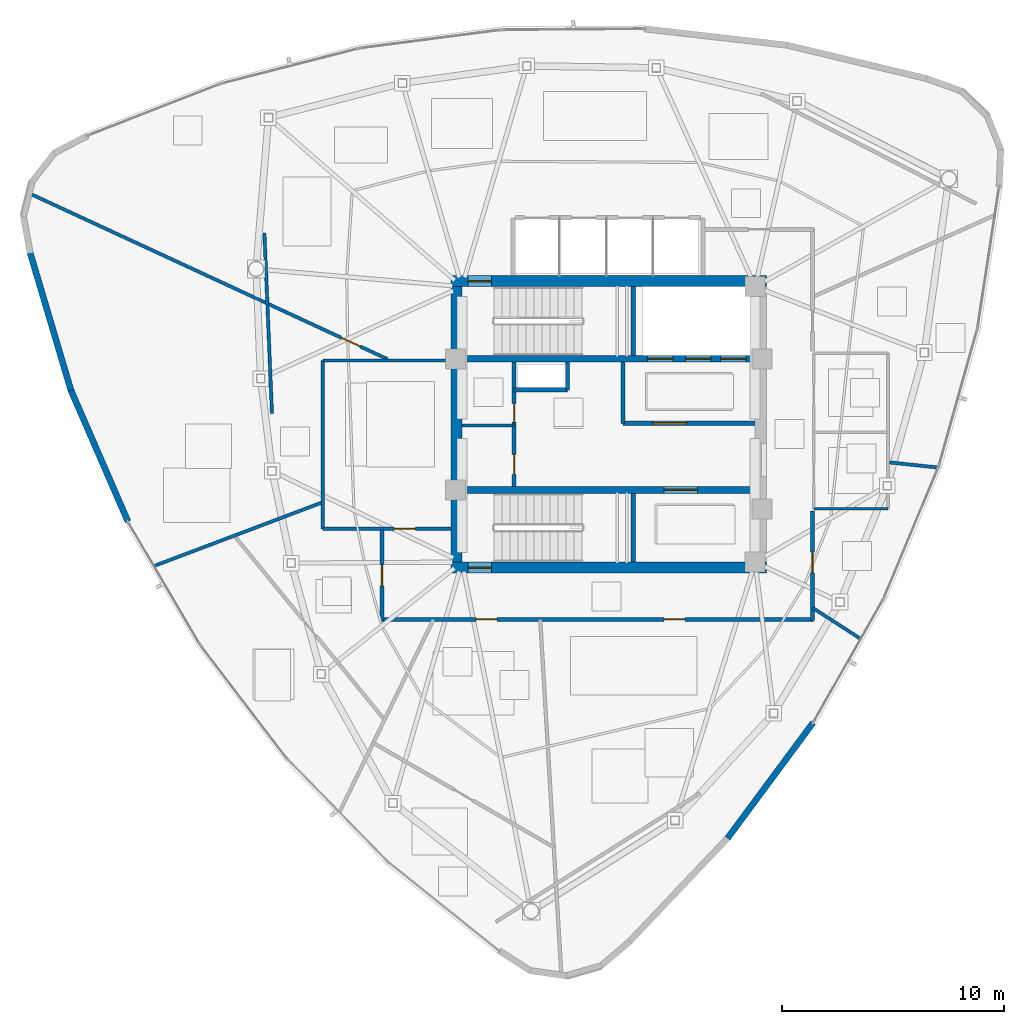
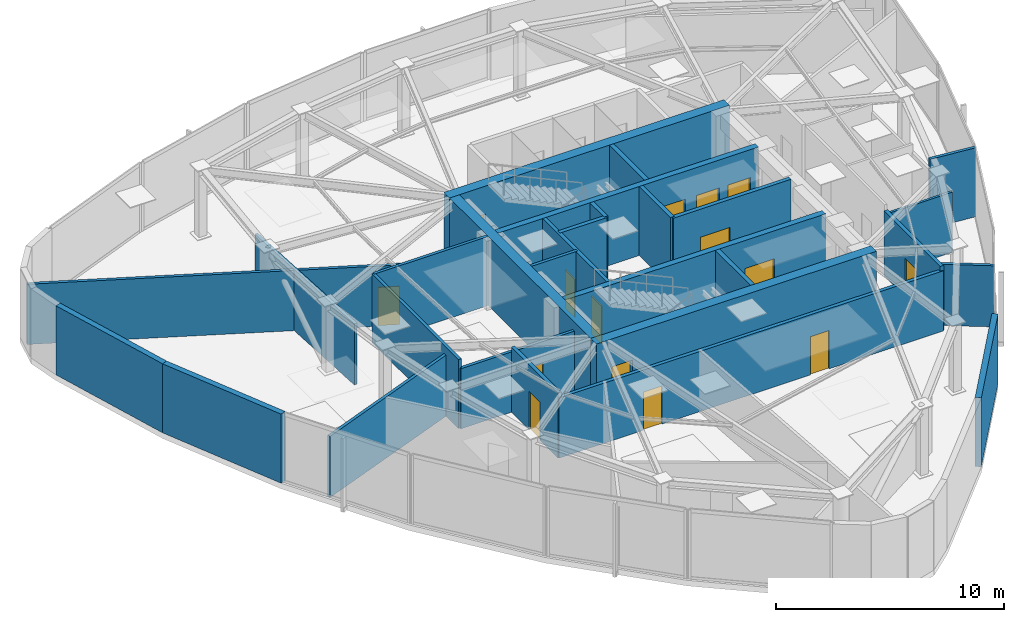
# One storey, part 8 of 11: 28 walls, 15 doors, 15 openings.
"""IFC4 building model written with IfcOpenShell, lengths in metres."""

import ifcopenshell
import ifcopenshell.guid

model = None  # the IFC model being written
_history = None  # IfcOwnerHistory: only IFC2X3 demands one
_inside = {}  # id of a spatial element -> (the spatial element, [elements in it])
_under = {}  # id of a project, library or spatial element -> (it, [spatial elements below it])
_declared = {}  # id of a project -> (the project, [libraries it declares])
_typed = {}  # id of a type object -> (the type object, [elements of that type])
_made_of = {}  # id of a material, layer set ... -> (it, [elements and type objects made of it])


def new_model(schema):
    """Start an empty IFC model of exactly this schema.

    Asked for "IFC4X3", IfcOpenShell would pick the latest addendum, in which some entities
    have other attributes; the version numbers below select the first issue.
    IFC2X3 requires an IfcOwnerHistory on every rooted entity: one is made here for all.
    """
    global model, _history
    if schema == "IFC4X3":
        model = ifcopenshell.file(schema_version=(4, 3, 0, 0))
    else:
        model = ifcopenshell.file(schema=schema)
    _inside.clear()
    _under.clear()
    _declared.clear()
    _typed.clear()
    _made_of.clear()
    _history = None
    if model.schema == "IFC2X3":
        org = make("IfcOrganization", Name="unknown")
        user = make(
            "IfcPersonAndOrganization",
            ThePerson=make("IfcPerson", FamilyName="unknown"),
            TheOrganization=org,
        )
        app = make(
            "IfcApplication",
            ApplicationDeveloper=org,
            Version="unknown",
            ApplicationFullName="unknown",
            ApplicationIdentifier="unknown",
        )
        _history = make(
            "IfcOwnerHistory",
            OwningUser=user,
            OwningApplication=app,
            ChangeAction="ADDED",
            CreationDate=0,
        )
    return model


def make(cls, **values):
    """One entity of the class cls with the attributes given. An attribute that is None is left unset."""
    return model.create_entity(
        cls, **{name: value for name, value in values.items() if value is not None}
    )


def rooted(cls, **values):
    """An entity with a GlobalId (a new one), such as an element, a storey or a relation."""
    return make(cls, GlobalId=ifcopenshell.guid.new(), OwnerHistory=_history, **values)


def si_unit(unit_type, name, prefix=None):
    """IfcSIUnit, for example si_unit("LENGTHUNIT", "METRE", prefix="MILLI")."""
    return make("IfcSIUnit", UnitType=unit_type, Prefix=prefix, Name=name)


def assignment(units):
    """IfcUnitAssignment: the units of a project."""
    return None if units is None else make("IfcUnitAssignment", Units=units)


def point(xyz):
    """IfcCartesianPoint."""
    return None if xyz is None else make("IfcCartesianPoint", Coordinates=xyz)


def direction(xyz):
    """IfcDirection."""
    return None if xyz is None else make("IfcDirection", DirectionRatios=xyz)


def frame(location, z_axis=None, x_axis=None):
    """IfcAxis2Placement3D, a coordinate frame: its origin and axes. An axis left out is left unset."""
    return make(
        "IfcAxis2Placement3D",
        Location=point(location),
        Axis=direction(z_axis),
        RefDirection=direction(x_axis),
    )


def frame_2d(location, x_axis=None):
    """IfcAxis2Placement2D, a coordinate frame in the plane: its origin and x axis."""
    return make(
        "IfcAxis2Placement2D", Location=point(location), RefDirection=direction(x_axis)
    )


def origin():
    """The frame at (0, 0, 0) with its axes left unset."""
    return frame((0.0, 0.0, 0.0))


def place(relative_to, where):
    """IfcLocalPlacement: puts the frame where relative to a parent placement (None: the world)."""
    return make(
        "IfcLocalPlacement", PlacementRelTo=relative_to, RelativePlacement=where
    )


def context(
    kind, dimensions, precision=None, world=None, true_north=None, identifier=None
):
    """IfcGeometricRepresentationContext, for example the 3D "Model" context."""
    return make(
        "IfcGeometricRepresentationContext",
        ContextIdentifier=identifier,
        ContextType=kind,
        CoordinateSpaceDimension=dimensions,
        Precision=precision,
        WorldCoordinateSystem=world,
        TrueNorth=true_north,
    )


def subcontext(parent, identifier, kind, view, scale=None):
    """IfcGeometricRepresentationSubContext, for example "Body" below "Model"."""
    return make(
        "IfcGeometricRepresentationSubContext",
        ContextIdentifier=identifier,
        ContextType=kind,
        ParentContext=parent,
        TargetScale=scale,
        TargetView=view,
    )


def project(units=None, contexts=None):
    """IfcProject with its units and contexts."""
    return rooted(
        "IfcProject",
        Name="project",
        RepresentationContexts=contexts,
        UnitsInContext=assignment(units),
    )


def spatial(cls, under=None, at=None, **own):
    """A site, building, storey or space (cls), placed at a placement, below another one or the project."""
    s = rooted(cls, ObjectPlacement=at, **own)
    if under is not None:
        _under.setdefault(under.id(), (under, []))[1].append(s)
    return s


def profile(cls, at=None, kind="AREA", **sizes):
    """A parametric profile (cls). Its sizes go by their IFC names, for example OverallWidth=200.0."""
    return make(cls, ProfileType=kind, Position=at, **sizes)


def rectangle(**sizes):
    """IfcRectangleProfileDef."""
    return profile("IfcRectangleProfileDef", **sizes)


def extrude(swept, where, along, depth):
    """IfcExtrudedAreaSolid: the profile swept, set in the frame where, extruded along a direction by depth."""
    return make(
        "IfcExtrudedAreaSolid",
        SweptArea=swept,
        Position=where,
        ExtrudedDirection=direction(along),
        Depth=depth,
    )


def shape(context_of_items, identifier, shape_type, items):
    """IfcShapeRepresentation: the items that make up one representation, for example the "Body"."""
    return make(
        "IfcShapeRepresentation",
        ContextOfItems=context_of_items,
        RepresentationIdentifier=identifier,
        RepresentationType=shape_type,
        Items=items,
    )


def material(Name=None, Category=None):
    """IfcMaterial."""
    return make("IfcMaterial", Name=Name, Category=Category)


def layer(
    of_material, thickness, ventilated=None, Name=None, Category=None, Priority=None
):
    """IfcMaterialLayer: one layer of a wall or slab, of a material (None: an air gap)."""
    return make(
        "IfcMaterialLayer",
        Material=of_material,
        LayerThickness=thickness,
        IsVentilated=ventilated,
        Name=Name,
        Category=Category,
        Priority=Priority,
    )


def layer_set(layers, Name=None):
    """IfcMaterialLayerSet."""
    return make("IfcMaterialLayerSet", MaterialLayers=layers, LayerSetName=Name)


def made_of(thing, what):
    """Note that an element or type object is made of a material, layer set ...; save() writes the relation."""
    if what is not None:
        _made_of.setdefault(what.id(), (what, []))[1].append(thing)
    return thing


def type_object(cls, material=None, **own):
    """A type object (cls), such as IfcWallType, which elements share."""
    return made_of(rooted(cls, **own), material)


def element(
    cls,
    number,
    at=None,
    inside=None,
    cuts=None,
    type_object=None,
    material=None,
    context=None,
    identifier="Body",
    shape_type=None,
    held_by="IfcProductDefinitionShape",
    body=None,
    shapes=None,
    **own,
):
    """One element of the class cls, such as IfcWall. Its Tag is "e" and its number.

    at: its placement. inside: the storey or other place that contains it. cuts: it is an
    opening in that element (IfcRelVoidsElement). A single representation is given by context,
    identifier, shape_type and body (its items); several are given by shapes. held_by: the class
    of the entity that holds the representations. save() writes the other relations.
    """
    e = rooted(cls, Tag="e%d" % number, ObjectPlacement=at, **own)
    if body is not None:
        shapes = [shape(context, identifier, shape_type, body)]
    if shapes is not None:
        e.Representation = make(held_by, Representations=shapes)
    if inside is not None:
        _inside.setdefault(inside.id(), (inside, []))[1].append(e)
    if cuts is not None:
        rooted(
            "IfcRelVoidsElement", RelatingBuildingElement=cuts, RelatedOpeningElement=e
        )
    if type_object is not None:
        _typed.setdefault(type_object.id(), (type_object, []))[1].append(e)
    return made_of(e, material)


def fill(opening, filler):
    """IfcRelFillsElement: the door or window that sits in an opening."""
    return rooted(
        "IfcRelFillsElement",
        RelatingOpeningElement=opening,
        RelatedBuildingElement=filler,
    )


def aggregate(whole, parts):
    """IfcRelAggregates: a whole, such as a stair, and the parts it consists of."""
    return rooted("IfcRelAggregates", RelatingObject=whole, RelatedObjects=parts)


def save(model, path):
    """Write the relations noted so far, then the file.

    IfcRelAggregates (storeys below a building ...), IfcRelContainedInSpatialStructure (elements
    in a storey), IfcRelDefinesByType, IfcRelAssociatesMaterial and IfcRelDeclares: one each for
    every whole, place, type object, material and project.
    """
    for whole, parts in _under.values():
        aggregate(whole, parts)
    for where, things in _inside.values():
        rooted(
            "IfcRelContainedInSpatialStructure",
            RelatedElements=things,
            RelatingStructure=where,
        )
    for kind, things in _typed.values():
        rooted("IfcRelDefinesByType", RelatedObjects=things, RelatingType=kind)
    for what, things in _made_of.values():
        rooted("IfcRelAssociatesMaterial", RelatedObjects=things, RelatingMaterial=what)
    for by, libraries in _declared.values():
        rooted("IfcRelDeclares", RelatingContext=by, RelatedDefinitions=libraries)
    model.write(path)


model = new_model("IFC4")

# Units and contexts
model_context = context("Model", 3, precision=1e-05, world=origin(), true_north=direction((0.0, 1.0)))
body_context = subcontext(model_context, "Body", "Model", "MODEL_VIEW")
ifc_project = project(units=[si_unit("LENGTHUNIT", "METRE"), si_unit("AREAUNIT", "SQUARE_METRE"), si_unit("VOLUMEUNIT", "CUBIC_METRE"), si_unit("PLANEANGLEUNIT", "RADIAN"), si_unit("MASSUNIT", "GRAM", prefix="KILO")], contexts=[model_context])

# Site, building, storey
site_placement = place(None, origin())
site = spatial("IfcSite", under=ifc_project, at=site_placement, CompositionType="ELEMENT")
building_placement = place(site_placement, origin())
building = spatial("IfcBuilding", under=site, at=building_placement, Name="Tavelor Broadcast Tower", CompositionType="ELEMENT")
storey_placement = place(building_placement, frame((0.0, 0.0, 313.5)))
storey = spatial("IfcBuildingStorey", under=building, at=storey_placement, Name="L75", CompositionType="ELEMENT", Elevation=313.5)

# Wall, opening, door
ifc_material_1 = material(Name="Concrete C50/60", Category="concrete")
ifc_layer_1 = layer(ifc_material_1, 0.5)
ifc_layer_set_1 = layer_set([ifc_layer_1], Name="Concrete C50/60")
wall_type_1 = type_object("IfcWallType", Name="Core Shear Wall 500 mm", PredefinedType="SHEAR", material=ifc_layer_set_1)
wall_1_placement = place(storey_placement, frame((42.89990234375, 51.449951171875, 0.0), z_axis=(0.0, 0.0, 1.0), x_axis=(1.0, 0.0, 0.0)))
wall_1 = element("IfcWall", 1, at=wall_1_placement, inside=storey, type_object=wall_type_1, Name="L75 Central Core Shear Wall N", PredefinedType="SHEAR", context=body_context, shape_type="SweptSolid", body=[
    extrude(rectangle(XDim=14.2001953125, YDim=0.5, at=frame_2d((7.10009765625, 0.0))), origin(), (0.0, 0.0, 1.0), 3.699951171875),
])
opening_1_placement = place(wall_1_placement, frame((0.780029296875, 0.0, 0.0)))
opening_1 = element("IfcOpeningElement", 2, at=opening_1_placement, cuts=wall_1, Name="Opening DR11", PredefinedType="OPENING", context=body_context, shape_type="SweptSolid", body=[
    extrude(rectangle(XDim=1.050048828125, YDim=2.199951171875, at=frame_2d((0.52490234375, 1.10009765625))), frame((0.0, 0.260009765625, 0.0), z_axis=(0.0, -1.0, 0.0), x_axis=(1.0, 0.0, 0.0)), (0.0, 0.0, 1.0), 0.52001953125),
])
ifc_material_2 = material(Name="Steel S355", Category="steel")
door_type_1 = type_object("IfcDoorType", Name="Stair Core Fire Escape Door 1050x2200", OperationType="NOTDEFINED", PredefinedType="DOOR", material=ifc_material_2)
door_1_placement = place(opening_1_placement, origin())
door_1 = element("IfcDoor", 3, at=door_1_placement, inside=storey, type_object=door_type_1, Name="L75 Stair ST1 Protected Exit Door", OperationType="SINGLE_SWING_LEFT", OverallHeight=2.199951171875, OverallWidth=1.050048828125, PredefinedType="DOOR", context=body_context, shape_type="SweptSolid", body=[
    extrude(rectangle(XDim=1.050048828125, YDim=2.199951171875, at=frame_2d((0.52490234375, 1.10009765625))), frame((0.0, 0.02490234375, 0.0), z_axis=(0.0, -1.0, 0.0), x_axis=(1.0, 0.0, 0.0)), (0.0, 0.0, 1.0), 0.050048828125),
])
fill(opening_1, door_1)

wall_2_placement = place(storey_placement, frame((42.89990234375, 38.550048828125, 0.0), z_axis=(0.0, 0.0, 1.0), x_axis=(1.0, 0.0, 0.0)))
wall_2 = element("IfcWall", 4, at=wall_2_placement, inside=storey, type_object=wall_type_1, Name="L75 Central Core Shear Wall S", PredefinedType="SHEAR", context=body_context, shape_type="SweptSolid", body=[
    extrude(rectangle(XDim=14.2001953125, YDim=0.5, at=frame_2d((7.10009765625, 0.0))), origin(), (0.0, 0.0, 1.0), 3.699951171875),
])
opening_2_placement = place(wall_2_placement, frame((0.780029296875, 0.0, 0.0)))
opening_2 = element("IfcOpeningElement", 5, at=opening_2_placement, cuts=wall_2, Name="Opening DR11", PredefinedType="OPENING", context=body_context, shape_type="SweptSolid", body=[
    extrude(rectangle(XDim=1.050048828125, YDim=2.199951171875, at=frame_2d((0.52490234375, 1.10009765625))), frame((0.0, 0.260009765625, 0.0), z_axis=(0.0, -1.0, 0.0), x_axis=(1.0, 0.0, 0.0)), (0.0, 0.0, 1.0), 0.52001953125),
])
door_2_placement = place(opening_2_placement, origin())
door_2 = element("IfcDoor", 6, at=door_2_placement, inside=storey, type_object=door_type_1, Name="L75 Stair ST2 Protected Exit Door", OperationType="SINGLE_SWING_RIGHT", OverallHeight=2.199951171875, OverallWidth=1.050048828125, PredefinedType="DOOR", context=body_context, shape_type="SweptSolid", body=[
    extrude(rectangle(XDim=1.050048828125, YDim=2.199951171875, at=frame_2d((0.52490234375, 1.10009765625))), frame((0.0, 0.02490234375, 0.0), z_axis=(0.0, -1.0, 0.0), x_axis=(1.0, 0.0, 0.0)), (0.0, 0.0, 1.0), 0.050048828125),
])
fill(opening_2, door_2)

# Wall
wall_3_placement = place(storey_placement, frame((43.14990234375, 38.800048828125, 0.0), z_axis=(0.0, 0.0, 1.0), x_axis=(0.0, 1.0, 0.0)))
element("IfcWall", 7, at=wall_3_placement, inside=storey, type_object=wall_type_1, Name="L75 Central Core Shear Wall W", PredefinedType="SHEAR", context=body_context, shape_type="SweptSolid", body=[
    extrude(rectangle(XDim=12.39990234375, YDim=0.5, at=frame_2d((6.199951171875, 0.0))), origin(), (0.0, 0.0, 1.0), 3.699951171875),
])

# Wall, openings, doors
ifc_layer_2 = layer(ifc_material_1, 0.300048828125)
ifc_layer_set_2 = layer_set([ifc_layer_2], Name="Concrete C50/60")
wall_type_2 = type_object("IfcWallType", Name="Core Spine Shear Wall 300 mm C50", PredefinedType="SHEAR", material=ifc_layer_set_2)
wall_4_placement = place(storey_placement, frame((43.39990234375, 47.949951171875, 0.0), z_axis=(0.0, 0.0, 1.0), x_axis=(1.0, 0.0, 0.0)))
wall_4 = element("IfcWall", 8, at=wall_4_placement, inside=storey, type_object=wall_type_2, Name="L75 Central Core Shear Wall SP1", PredefinedType="SHEAR", context=body_context, shape_type="SweptSolid", body=[
    extrude(rectangle(XDim=13.2001953125, YDim=0.300048828125, at=frame_2d((6.60009765625, 0.0))), origin(), (0.0, 0.0, 1.0), 3.699951171875),
])
opening_3_placement = place(wall_4_placement, frame((8.344970703125, 0.0, 0.0)))
opening_3 = element("IfcOpeningElement", 9, at=opening_3_placement, cuts=wall_4, Name="Opening LD02", PredefinedType="OPENING", context=body_context, shape_type="SweptSolid", body=[
    extrude(rectangle(XDim=1.14990234375, YDim=2.199951171875, at=frame_2d((0.574951171875, 1.10009765625))), frame((0.0, 0.16015625, 0.0), z_axis=(0.0, -1.0, 0.0), x_axis=(1.0, 0.0, 0.0)), (0.0, 0.0, 1.0), 0.320068359375),
])
opening_4_placement = place(wall_4_placement, frame((10.06494140625, 0.0, 0.0)))
opening_4 = element("IfcOpeningElement", 10, at=opening_4_placement, cuts=wall_4, Name="Opening LD02", PredefinedType="OPENING", context=body_context, shape_type="SweptSolid", body=[
    extrude(rectangle(XDim=1.14990234375, YDim=2.199951171875, at=frame_2d((0.574951171875, 1.10009765625))), frame((0.0, 0.16015625, 0.0), z_axis=(0.0, -1.0, 0.0), x_axis=(1.0, 0.0, 0.0)), (0.0, 0.0, 1.0), 0.320068359375),
])
opening_5_placement = place(wall_4_placement, frame((11.64501953125, 0.0, 0.0)))
opening_5 = element("IfcOpeningElement", 11, at=opening_5_placement, cuts=wall_4, Name="Opening LD03", PredefinedType="OPENING", context=body_context, shape_type="SweptSolid", body=[
    extrude(rectangle(XDim=1.14990234375, YDim=2.199951171875, at=frame_2d((0.574951171875, 1.10009765625))), frame((0.0, 0.16015625, 0.0), z_axis=(0.0, -1.0, 0.0), x_axis=(1.0, 0.0, 0.0)), (0.0, 0.0, 1.0), 0.320068359375),
])
ifc_material_3 = material(Name="Reinforced Brushed Stainless Steel", Category="concrete")
door_type_2 = type_object("IfcDoorType", Name="Broadcast Goods Lift Sliding Landing Door 1250x2200", OperationType="NOTDEFINED", PredefinedType="DOOR", material=ifc_material_3)
door_3_placement = place(opening_5_placement, origin())
door_3 = element("IfcDoor", 12, at=door_3_placement, inside=storey, type_object=door_type_2, Name="L75 Lift SVL1 Sliding Landing Door", OperationType="SLIDING_TO_LEFT", OverallHeight=2.199951171875, OverallWidth=1.14990234375, PredefinedType="DOOR", context=body_context, shape_type="SweptSolid", body=[
    extrude(rectangle(XDim=1.14990234375, YDim=2.199951171875, at=frame_2d((0.574951171875, 1.10009765625))), frame((0.0, 0.02490234375, 0.0), z_axis=(0.0, -1.0, 0.0), x_axis=(1.0, 0.0, 0.0)), (0.0, 0.0, 1.0), 0.050048828125),
])
fill(opening_5, door_3)
ifc_material_4 = material(Name="Fire-Rated Stainless Steel", Category="steel")
door_type_3 = type_object("IfcDoorType", Name="Firefighting Lift Sliding Landing Door 1200x2200", OperationType="NOTDEFINED", PredefinedType="DOOR", material=ifc_material_4)
door_4_placement = place(opening_3_placement, origin())
door_4 = element("IfcDoor", 13, at=door_4_placement, inside=storey, type_object=door_type_3, Name="L75 Lift FFL1 Sliding Landing Door", OperationType="SLIDING_TO_LEFT", OverallHeight=2.199951171875, OverallWidth=1.14990234375, PredefinedType="DOOR", context=body_context, shape_type="SweptSolid", body=[
    extrude(rectangle(XDim=1.14990234375, YDim=2.199951171875, at=frame_2d((0.574951171875, 1.10009765625))), frame((0.0, 0.02490234375, 0.0), z_axis=(0.0, -1.0, 0.0), x_axis=(1.0, 0.0, 0.0)), (0.0, 0.0, 1.0), 0.050048828125),
])
fill(opening_3, door_4)
door_5_placement = place(opening_4_placement, origin())
door_5 = element("IfcDoor", 14, at=door_5_placement, inside=storey, type_object=door_type_3, Name="L75 Lift FFL2 Sliding Landing Door", OperationType="SLIDING_TO_LEFT", OverallHeight=2.199951171875, OverallWidth=1.14990234375, PredefinedType="DOOR", context=body_context, shape_type="SweptSolid", body=[
    extrude(rectangle(XDim=1.14990234375, YDim=2.199951171875, at=frame_2d((0.574951171875, 1.10009765625))), frame((0.0, 0.02490234375, 0.0), z_axis=(0.0, -1.0, 0.0), x_axis=(1.0, 0.0, 0.0)), (0.0, 0.0, 1.0), 0.050048828125),
])
fill(opening_4, door_5)

# Wall, opening, door
wall_5_placement = place(storey_placement, frame((43.39990234375, 42.050048828125, 0.0), z_axis=(0.0, 0.0, 1.0), x_axis=(1.0, 0.0, 0.0)))
wall_5 = element("IfcWall", 15, at=wall_5_placement, inside=storey, type_object=wall_type_2, Name="L75 Central Core Shear Wall SP2", PredefinedType="SHEAR", context=body_context, shape_type="SweptSolid", body=[
    extrude(rectangle(XDim=13.2001953125, YDim=0.300048828125, at=frame_2d((6.60009765625, 0.0))), origin(), (0.0, 0.0, 1.0), 3.699951171875),
])
opening_6_placement = place(wall_5_placement, frame((9.10009765625, 0.0, 0.0)))
opening_6 = element("IfcOpeningElement", 16, at=opening_6_placement, cuts=wall_5, Name="Opening DR14", PredefinedType="OPENING", context=body_context, shape_type="SweptSolid", body=[
    extrude(rectangle(XDim=1.5, YDim=2.199951171875, at=frame_2d((0.75, 1.10009765625))), frame((0.0, 0.16015625, 0.0), z_axis=(0.0, -1.0, 0.0), x_axis=(1.0, 0.0, 0.0)), (0.0, 0.0, 1.0), 0.320068359375),
])
door_type_4 = type_object("IfcDoorType", Name="Firefighting Lobby Double Fire Door 1500x2200", OperationType="NOTDEFINED", PredefinedType="DOOR", material=ifc_material_2)
door_6_placement = place(opening_6_placement, origin())
door_6 = element("IfcDoor", 17, at=door_6_placement, inside=storey, type_object=door_type_4, Name="L75 Reclaimed South Core Vestibule Door", OperationType="SINGLE_SWING_RIGHT", OverallHeight=2.199951171875, OverallWidth=1.5, PredefinedType="DOOR", context=body_context, shape_type="SweptSolid", body=[
    extrude(rectangle(XDim=1.5, YDim=2.199951171875, at=frame_2d((0.75, 1.10009765625))), frame((0.0, 0.02490234375, 0.0), z_axis=(0.0, -1.0, 0.0), x_axis=(1.0, 0.0, 0.0)), (0.0, 0.0, 1.0), 0.050048828125),
])
fill(opening_6, door_6)

# Wall, openings, doors
ifc_material_5 = material(Name="Calcium Silicate Fire Board 180 mm", Category="gypsum")
ifc_layer_3 = layer(ifc_material_5, 0.179931640625)
ifc_layer_set_3 = layer_set([ifc_layer_3], Name="Calcium Silicate Fire Board 180 mm")
wall_type_3 = type_object("IfcWallType", Name="Fire-Rated Corridor Partition Wall 180 mm", PredefinedType="PARTITIONING", material=ifc_layer_set_3)
wall_6_placement = place(storey_placement, frame((45.75, 42.199951171875, 0.0), z_axis=(0.0, 0.0, 1.0), x_axis=(0.0, 1.0, 0.0)))
wall_6 = element("IfcWall", 18, at=wall_6_placement, inside=storey, type_object=wall_type_3, Name="L75 Core West Service East Wall", PredefinedType="PARTITIONING", context=body_context, shape_type="SweptSolid", body=[
    extrude(rectangle(XDim=5.60009765625, YDim=0.179931640625, at=frame_2d((2.800048828125, 0.0))), origin(), (0.0, 0.0, 1.0), 3.699951171875),
])
opening_7_placement = place(wall_6_placement, frame((0.550048828125, 0.0, 0.0)))
opening_7 = element("IfcOpeningElement", 19, at=opening_7_placement, cuts=wall_6, Name="Opening DR32", PredefinedType="OPENING", context=body_context, shape_type="SweptSolid", body=[
    extrude(rectangle(XDim=0.89990234375, YDim=2.050048828125, at=frame_2d((0.449951171875, 1.02490234375))), frame((0.0, 0.10009765625, 0.0), z_axis=(0.0, -1.0, 0.0), x_axis=(1.0, 0.0, 0.0)), (0.0, 0.0, 1.0), 0.199951171875),
])
opening_8_placement = place(wall_6_placement, frame((2.89990234375, 0.0, 0.0)))
opening_8 = element("IfcOpeningElement", 20, at=opening_8_placement, cuts=wall_6, Name="Opening DR36", PredefinedType="OPENING", context=body_context, shape_type="SweptSolid", body=[
    extrude(rectangle(XDim=0.85009765625, YDim=2.050048828125, at=frame_2d((0.425048828125, 1.02490234375))), frame((0.0, 0.10009765625, 0.0), z_axis=(0.0, -1.0, 0.0), x_axis=(1.0, 0.0, 0.0)), (0.0, 0.0, 1.0), 0.199951171875),
])
ifc_material_6 = material(Name="Timber Solid Core Hardwood", Category="wood")
door_type_5 = type_object("IfcDoorType", Name="Accessible Washroom Door 900x2050", OperationType="NOTDEFINED", PredefinedType="DOOR", material=ifc_material_6)
door_7_placement = place(opening_7_placement, origin())
door_7 = element("IfcDoor", 21, at=door_7_placement, inside=storey, type_object=door_type_5, Name="L75 Core Accessible WC Door", OperationType="SINGLE_SWING_LEFT", OverallHeight=2.050048828125, OverallWidth=0.89990234375, PredefinedType="DOOR", context=body_context, shape_type="SweptSolid", body=[
    extrude(rectangle(XDim=0.89990234375, YDim=2.050048828125, at=frame_2d((0.449951171875, 1.02490234375))), frame((0.0, 0.02490234375, 0.0), z_axis=(0.0, -1.0, 0.0), x_axis=(1.0, 0.0, 0.0)), (0.0, 0.0, 1.0), 0.050048828125),
])
fill(opening_7, door_7)
door_type_6 = type_object("IfcDoorType", Name="Service Room Fire Door 850x2050", OperationType="NOTDEFINED", PredefinedType="DOOR", material=ifc_material_2)
door_8_placement = place(opening_8_placement, origin())
door_8 = element("IfcDoor", 22, at=door_8_placement, inside=storey, type_object=door_type_6, Name="L75 Core Cleaner Store Door", OperationType="SINGLE_SWING_RIGHT", OverallHeight=2.050048828125, OverallWidth=0.85009765625, PredefinedType="DOOR", context=body_context, shape_type="SweptSolid", body=[
    extrude(rectangle(XDim=0.85009765625, YDim=2.050048828125, at=frame_2d((0.425048828125, 1.02490234375))), frame((0.0, 0.02490234375, 0.0), z_axis=(0.0, -1.0, 0.0), x_axis=(1.0, 0.0, 0.0)), (0.0, 0.0, 1.0), 0.050048828125),
])
fill(opening_8, door_8)

# Wall, opening, door
wall_7_placement = place(storey_placement, frame((59.179931640625, 41.10009765625, 0.0), z_axis=(0.0, 0.0, 1.0), x_axis=(0.0, -1.0, 0.0)))
wall_7 = element("IfcWall", 23, at=wall_7_placement, inside=storey, type_object=wall_type_3, Name="L75 Corridor Compartment Wall 03", PredefinedType="PARTITIONING", context=body_context, shape_type="SweptSolid", body=[
    extrude(rectangle(XDim=4.93017578125, YDim=0.179931640625, at=frame_2d((2.465087890625, 0.0))), origin(), (0.0, 0.0, 1.0), 3.47509765625),
])
opening_9_placement = place(wall_7_placement, frame((1.8486328125, 0.0, 0.0)))
opening_9 = element("IfcOpeningElement", 24, at=opening_9_placement, cuts=wall_7, Name="Opening DR18", PredefinedType="OPENING", context=body_context, shape_type="SweptSolid", body=[
    extrude(rectangle(XDim=0.949951171875, YDim=2.050048828125, at=frame_2d((0.47509765625, 1.02490234375))), frame((0.0, 0.10009765625, 0.0), z_axis=(0.0, -1.0, 0.0), x_axis=(1.0, 0.0, 0.0)), (0.0, 0.0, 1.0), 0.199951171875),
])
door_type_7 = type_object("IfcDoorType", Name="Corridor Rated Compartment Door 950x2050", OperationType="NOTDEFINED", PredefinedType="DOOR", material=ifc_material_6)
door_9_placement = place(opening_9_placement, origin())
door_9 = element("IfcDoor", 25, at=door_9_placement, inside=storey, type_object=door_type_7, Name="L75 Technical Mail and Post Room Door R1", OperationType="SINGLE_SWING_LEFT", OverallHeight=2.050048828125, OverallWidth=0.949951171875, PredefinedType="DOOR", context=body_context, shape_type="SweptSolid", body=[
    extrude(rectangle(XDim=0.949951171875, YDim=2.050048828125, at=frame_2d((0.47509765625, 1.02490234375))), frame((0.0, 0.02490234375, 0.0), z_axis=(0.0, -1.0, 0.0), x_axis=(1.0, 0.0, 0.0)), (0.0, 0.0, 1.0), 0.050048828125),
])
fill(opening_9, door_9)

# Wall, openings, doors
wall_8_placement = place(storey_placement, frame((59.22998046875, 36.219970703125, 0.0), z_axis=(0.0, 0.0, 1.0), x_axis=(-1.0, 0.0, 0.0)))
wall_8 = element("IfcWall", 26, at=wall_8_placement, inside=storey, type_object=wall_type_3, Name="L75 Corridor Compartment Wall 04", PredefinedType="PARTITIONING", context=body_context, shape_type="SweptSolid", body=[
    extrude(rectangle(XDim=19.47998046875, YDim=0.179931640625, at=frame_2d((9.739990234375, 0.0))), origin(), (0.0, 0.0, 1.0), 3.22509765625),
])
opening_10_placement = place(wall_8_placement, frame((5.793212890625, 0.0, 0.0)))
opening_10 = element("IfcOpeningElement", 27, at=opening_10_placement, cuts=wall_8, Name="Opening DR18", PredefinedType="OPENING", context=body_context, shape_type="SweptSolid", body=[
    extrude(rectangle(XDim=0.949951171875, YDim=2.050048828125, at=frame_2d((0.47509765625, 1.02490234375))), frame((0.0, 0.10009765625, 0.0), z_axis=(0.0, -1.0, 0.0), x_axis=(1.0, 0.0, 0.0)), (0.0, 0.0, 1.0), 0.199951171875),
])
opening_11_placement = place(wall_8_placement, frame((14.252685546875, 0.0, 0.0)))
opening_11 = element("IfcOpeningElement", 28, at=opening_11_placement, cuts=wall_8, Name="Opening DR18", PredefinedType="OPENING", context=body_context, shape_type="SweptSolid", body=[
    extrude(rectangle(XDim=0.949951171875, YDim=2.050048828125, at=frame_2d((0.47509765625, 1.02490234375))), frame((0.0, 0.10009765625, 0.0), z_axis=(0.0, -1.0, 0.0), x_axis=(1.0, 0.0, 0.0)), (0.0, 0.0, 1.0), 0.199951171875),
])
door_10_placement = place(opening_10_placement, origin())
door_10 = element("IfcDoor", 29, at=door_10_placement, inside=storey, type_object=door_type_7, Name="L75 Master Control Room Door R2", OperationType="SINGLE_SWING_RIGHT", OverallHeight=2.050048828125, OverallWidth=0.949951171875, PredefinedType="DOOR", context=body_context, shape_type="SweptSolid", body=[
    extrude(rectangle(XDim=0.949951171875, YDim=2.050048828125, at=frame_2d((0.47509765625, 1.02490234375))), frame((0.0, 0.02490234375, 0.0), z_axis=(0.0, -1.0, 0.0), x_axis=(1.0, 0.0, 0.0)), (0.0, 0.0, 1.0), 0.050048828125),
])
fill(opening_10, door_10)
door_11_placement = place(opening_11_placement, origin())
door_11 = element("IfcDoor", 30, at=door_11_placement, inside=storey, type_object=door_type_7, Name="L75 Creative Huddle Room Door R8", OperationType="SINGLE_SWING_LEFT", OverallHeight=2.050048828125, OverallWidth=0.949951171875, PredefinedType="DOOR", context=body_context, shape_type="SweptSolid", body=[
    extrude(rectangle(XDim=0.949951171875, YDim=2.050048828125, at=frame_2d((0.47509765625, 1.02490234375))), frame((0.0, 0.02490234375, 0.0), z_axis=(0.0, -1.0, 0.0), x_axis=(1.0, 0.0, 0.0)), (0.0, 0.0, 1.0), 0.050048828125),
])
fill(opening_11, door_11)

# Wall, opening, door
wall_9_placement = place(storey_placement, frame((39.800048828125, 36.169921875, 0.0), z_axis=(0.0, 0.0, 1.0), x_axis=(0.0, 1.0, 0.0)))
wall_9 = element("IfcWall", 31, at=wall_9_placement, inside=storey, type_object=wall_type_3, Name="L75 Corridor Compartment Wall 05", PredefinedType="PARTITIONING", context=body_context, shape_type="SweptSolid", body=[
    extrude(rectangle(XDim=4.080078125, YDim=0.179931640625, at=frame_2d((2.0400390625, 0.0))), origin(), (0.0, 0.0, 1.0), 3.47509765625),
])
opening_12_placement = place(wall_9_placement, frame((1.56494140625, 0.0, 0.0)))
opening_12 = element("IfcOpeningElement", 32, at=opening_12_placement, cuts=wall_9, Name="Opening DR18", PredefinedType="OPENING", context=body_context, shape_type="SweptSolid", body=[
    extrude(rectangle(XDim=0.949951171875, YDim=2.050048828125, at=frame_2d((0.47509765625, 1.02490234375))), frame((0.0, 0.10009765625, 0.0), z_axis=(0.0, -1.0, 0.0), x_axis=(1.0, 0.0, 0.0)), (0.0, 0.0, 1.0), 0.199951171875),
])
door_12_placement = place(opening_12_placement, origin())
door_12 = element("IfcDoor", 33, at=door_12_placement, inside=storey, type_object=door_type_7, Name="L75 Colour Grading Studio Door R7", OperationType="SINGLE_SWING_RIGHT", OverallHeight=2.050048828125, OverallWidth=0.949951171875, PredefinedType="DOOR", context=body_context, shape_type="SweptSolid", body=[
    extrude(rectangle(XDim=0.949951171875, YDim=2.050048828125, at=frame_2d((0.47509765625, 1.02490234375))), frame((0.0, 0.02490234375, 0.0), z_axis=(0.0, -1.0, 0.0), x_axis=(1.0, 0.0, 0.0)), (0.0, 0.0, 1.0), 0.050048828125),
])
fill(opening_12, door_12)

# Walls
ifc_material_7 = material(Name="Precast Concrete C40/50", Category="concrete")
ifc_layer_4 = layer(ifc_material_7, 0.280029296875)
ifc_layer_set_4 = layer_set([ifc_layer_4], Name="Precast Concrete C40/50")
wall_type_4 = type_object("IfcWallType", Name="Insulated Precast Terracotta Facade Wall 280 mm", PredefinedType="STANDARD", material=ifc_layer_set_4)
wall_10_placement = place(storey_placement, frame((23.9541015625, 52.73828125, 0.0), z_axis=(0.0, 0.0, 1.0), x_axis=(0.284414269195, -0.95870147777, 0.0)))
element("IfcWall", 34, at=wall_10_placement, inside=storey, type_object=wall_type_4, Name="L75 Rounded Corner Structural Cladding Pier 05", PredefinedType="STANDARD", context=body_context, shape_type="SweptSolid", body=[
    extrude(rectangle(XDim=6.4775390625, YDim=0.280029296875, at=frame_2d((3.23876953125, 0.0))), origin(), (0.0, 0.0, 1.0), 3.699951171875),
])
for number, where, z_axis, x_axis, name in (
    (35, (25.7861328125, 46.556396484375, 0.0), (0.0, 0.0, 1.0), (0.398349120214, -0.917233873352, 0.0), "L75 Rounded Corner Structural Cladding Pier 06"),
    (36, (55.35888671875, 26.36962890625, 0.0), (0.0, 0.0, 1.0), (0.595186009586, 0.803587962822, 0.0), "L75 Rounded Corner Structural Cladding Pier 16"),
):
    element("IfcWall", number, at=place(storey_placement, frame(where, z_axis=z_axis, x_axis=x_axis)), inside=storey, type_object=wall_type_4, Name=name, PredefinedType="STANDARD", context=body_context, shape_type="SweptSolid", body=[
        extrude(rectangle(XDim=6.46533203125, YDim=0.280029296875, at=frame_2d((3.232666015625, 0.0))), origin(), (0.0, 0.0, 1.0), 3.699951171875),
    ])
ifc_material_8 = material(Name="Gypsum Acoustic Plasterboard 150 mm", Category="gypsum")
ifc_layer_5 = layer(ifc_material_8, 0.14990234375)
ifc_layer_set_5 = layer_set([ifc_layer_5], Name="Gypsum Acoustic Plasterboard 150 mm")
wall_type_5 = type_object("IfcWallType", Name="Interior Acoustic Partition Wall 150 mm", PredefinedType="PARTITIONING", material=ifc_layer_set_5)
wall_11_placement = place(storey_placement, frame((43.39990234375, 44.949951171875, 0.0), z_axis=(0.0, 0.0, 1.0), x_axis=(1.0, 0.0, 0.0)))
element("IfcWall", 37, at=wall_11_placement, inside=storey, type_object=wall_type_5, Name="L75 Core Split Wall A", PredefinedType="PARTITIONING", context=body_context, shape_type="SweptSolid", body=[
    extrude(rectangle(XDim=2.35009765625, YDim=0.14990234375, at=frame_2d((1.175048828125, 0.0))), origin(), (0.0, 0.0, 1.0), 3.699951171875),
])
wall_12_placement = place(storey_placement, frame((34.50732421875, 53.61279296875, 0.0), z_axis=(0.0, 0.0, 1.0), x_axis=(0.041875090182, -0.999122853718, 0.0)))
element("IfcWall", 38, at=wall_12_placement, inside=storey, type_object=wall_type_5, Name="L75 Corner Tube Brace Furring Wall 1", PredefinedType="PARTITIONING", context=body_context, shape_type="SweptSolid", body=[
    extrude(rectangle(XDim=8.138916015625, YDim=0.14990234375, at=frame_2d((4.0693359375, 0.0))), origin(), (0.0, 0.0, 1.0), 3.27490234375),
])

# Wall, opening, door
wall_13_placement = place(storey_placement, frame((37.139892578125, 40.300048828125, 0.0), z_axis=(0.0, 0.0, 1.0), x_axis=(1.0, 0.0, 0.0)))
wall_13 = element("IfcWall", 39, at=wall_13_placement, inside=storey, type_object=wall_type_5, Name="L75 Reclaimed Shaft Pantry South Wall", PredefinedType="PARTITIONING", context=body_context, shape_type="SweptSolid", body=[
    extrude(rectangle(XDim=5.760009765625, YDim=0.14990234375, at=frame_2d((2.8798828125, 0.0))), origin(), (0.0, 0.0, 1.0), 3.22509765625),
])
opening_13_placement = place(wall_13_placement, frame((3.2099609375, 0.0, 0.0)))
opening_13 = element("IfcOpeningElement", 40, at=opening_13_placement, cuts=wall_13, Name="Opening DR18", PredefinedType="OPENING", context=body_context, shape_type="SweptSolid", body=[
    extrude(rectangle(XDim=0.949951171875, YDim=2.050048828125, at=frame_2d((0.47509765625, 1.02490234375))), frame((0.0, 0.0849609375, 0.0), z_axis=(0.0, -1.0, 0.0), x_axis=(1.0, 0.0, 0.0)), (0.0, 0.0, 1.0), 0.169921875),
])
door_13_placement = place(opening_13_placement, origin())
door_13 = element("IfcDoor", 41, at=door_13_placement, inside=storey, type_object=door_type_7, Name="L75 Broadcast IT Patch and Pantry Door", OperationType="SINGLE_SWING_LEFT", OverallHeight=2.050048828125, OverallWidth=0.949951171875, PredefinedType="DOOR", context=body_context, shape_type="SweptSolid", body=[
    extrude(rectangle(XDim=0.949951171875, YDim=2.050048828125, at=frame_2d((0.47509765625, 1.02490234375))), frame((0.0, 0.02490234375, 0.0), z_axis=(0.0, -1.0, 0.0), x_axis=(1.0, 0.0, 0.0)), (0.0, 0.0, 1.0), 0.050048828125),
])
fill(opening_13, door_13)

# Walls
wall_14_placement = place(storey_placement, frame((37.139892578125, 40.300048828125, 0.0), z_axis=(0.0, 0.0, 1.0), x_axis=(0.0, 1.0, 0.0)))
element("IfcWall", 42, at=wall_14_placement, inside=storey, type_object=wall_type_5, Name="L75 Reclaimed Shaft Pantry West Wall", PredefinedType="PARTITIONING", context=body_context, shape_type="SweptSolid", body=[
    extrude(rectangle(XDim=7.579833984375, YDim=0.14990234375, at=frame_2d((3.7900390625, 0.0))), origin(), (0.0, 0.0, 1.0), 3.699951171875),
])
wall_15_placement = place(storey_placement, frame((37.139892578125, 47.8798828125, 0.0), z_axis=(0.0, 0.0, 1.0), x_axis=(1.0, 0.0, 0.0)))
element("IfcWall", 43, at=wall_15_placement, inside=storey, type_object=wall_type_5, Name="L75 Reclaimed Shaft Pantry North Wall", PredefinedType="PARTITIONING", context=body_context, shape_type="SweptSolid", body=[
    extrude(rectangle(XDim=5.760009765625, YDim=0.14990234375, at=frame_2d((2.8798828125, 0.0))), origin(), (0.0, 0.0, 1.0), 3.699951171875),
])
wall_16_placement = place(storey_placement, frame((59.179931640625, 36.746826171875, 0.0), z_axis=(0.0, 0.0, 1.0), x_axis=(0.840067068484, -0.542482553128, 0.0)))
element("IfcWall", 44, at=wall_16_placement, inside=storey, type_object=wall_type_5, Name="L75 Radial Compartment Wall 03", PredefinedType="PARTITIONING", context=body_context, shape_type="SweptSolid", body=[
    extrude(rectangle(XDim=2.594970703125, YDim=0.14990234375, at=frame_2d((1.29736328125, 0.0))), origin(), (0.0, 0.0, 1.0), 3.27490234375),
])
wall_17_placement = place(storey_placement, frame((62.64990234375, 43.288330078125, 0.0), z_axis=(0.0, 0.0, 1.0), x_axis=(0.994494568321, -0.104788136635, 0.0)))
element("IfcWall", 45, at=wall_17_placement, inside=storey, type_object=wall_type_5, Name="L75 Radial Compartment Wall 04", PredefinedType="PARTITIONING", context=body_context, shape_type="SweptSolid", body=[
    extrude(rectangle(XDim=2.21337890625, YDim=0.14990234375, at=frame_2d((1.106689453125, 0.0))), origin(), (0.0, 0.0, 1.0), 3.699951171875),
])

# Wall, opening, door
wall_18_placement = place(storey_placement, frame((40.04638671875, 47.93994140625, 0.0), z_axis=(0.0, 0.0, 1.0), x_axis=(-0.907540960022, 0.419963576852, 0.0)))
wall_18 = element("IfcWall", 46, at=wall_18_placement, inside=storey, type_object=wall_type_5, Name="L75 Radial Compartment Wall 06", PredefinedType="PARTITIONING", context=body_context, shape_type="SweptSolid", body=[
    extrude(rectangle(XDim=17.779541015625, YDim=0.14990234375, at=frame_2d((8.8896484375, 0.0))), origin(), (0.0, 0.0, 1.0), 3.22509765625),
])
opening_14_placement = place(wall_18_placement, frame((1.35009765625, 0.0, 0.0)))
opening_14 = element("IfcOpeningElement", 47, at=opening_14_placement, cuts=wall_18, Name="Opening DR18", PredefinedType="OPENING", context=body_context, shape_type="SweptSolid", body=[
    extrude(rectangle(XDim=0.949951171875, YDim=2.050048828125, at=frame_2d((0.47509765625, 1.02490234375))), frame((0.0, 0.0849609375, 0.0), z_axis=(0.0, -1.0, 0.0), x_axis=(1.0, 0.0, 0.0)), (0.0, 0.0, 1.0), 0.169921875),
])
door_14_placement = place(opening_14_placement, origin())
door_14 = element("IfcDoor", 48, at=door_14_placement, inside=storey, type_object=door_type_7, Name="L75 Suite Connecting Door 5", OperationType="SINGLE_SWING_RIGHT", OverallHeight=2.050048828125, OverallWidth=0.949951171875, PredefinedType="DOOR", context=body_context, shape_type="SweptSolid", body=[
    extrude(rectangle(XDim=0.949951171875, YDim=2.050048828125, at=frame_2d((0.47509765625, 1.02490234375))), frame((0.0, 0.02490234375, 0.0), z_axis=(0.0, -1.0, 0.0), x_axis=(1.0, 0.0, 0.0)), (0.0, 0.0, 1.0), 0.050048828125),
])
fill(opening_14, door_14)

# Walls
wall_19_placement = place(storey_placement, frame((37.080078125, 41.476806640625, 0.0), z_axis=(0.0, 0.0, 1.0), x_axis=(-0.935397655177, -0.353597549043, 0.0)))
element("IfcWall", 49, at=wall_19_placement, inside=storey, type_object=wall_type_5, Name="L75 Radial Compartment Wall 07", PredefinedType="PARTITIONING", context=body_context, shape_type="SweptSolid", body=[
    extrude(rectangle(XDim=8.073974609375, YDim=0.14990234375, at=frame_2d((4.037109375, 0.0))), origin(), (0.0, 0.0, 1.0), 3.27490234375),
])
ifc_material_9 = material(Name="Concrete Blockwork 200 mm", Category="masonry")
ifc_layer_6 = layer(ifc_material_9, 0.199951171875)
ifc_layer_set_6 = layer_set([ifc_layer_6], Name="Concrete Blockwork 200 mm")
wall_type_6 = type_object("IfcWallType", Name="Lift and Riser Shaft Enclosure Wall 200 mm", PredefinedType="PARTITIONING", material=ifc_layer_set_6)
wall_20_placement = place(storey_placement, frame((45.75, 46.550048828125, 0.0), z_axis=(0.0, 0.0, 1.0), x_axis=(1.0, 0.0, 0.0)))
element("IfcWall", 50, at=wall_20_placement, inside=storey, type_object=wall_type_6, Name="L75 Riser Shaft South Wall", PredefinedType="PARTITIONING", context=body_context, shape_type="SweptSolid", body=[
    extrude(rectangle(XDim=2.39990234375, YDim=0.199951171875, at=frame_2d((1.199951171875, 0.0))), origin(), (0.0, 0.0, 1.0), 3.699951171875),
])
wall_21_placement = place(storey_placement, frame((48.14990234375, 46.550048828125, 0.0), z_axis=(0.0, 0.0, 1.0), x_axis=(0.0, 1.0, 0.0)))
element("IfcWall", 51, at=wall_21_placement, inside=storey, type_object=wall_type_6, Name="L75 Riser Shaft East Wall", PredefinedType="PARTITIONING", context=body_context, shape_type="SweptSolid", body=[
    extrude(rectangle(XDim=1.25, YDim=0.199951171875, at=frame_2d((0.625, 0.0))), origin(), (0.0, 0.0, 1.0), 3.699951171875),
])

# Wall, opening, door
wall_22_placement = place(storey_placement, frame((50.64990234375, 45.050048828125, 0.0), z_axis=(0.0, 0.0, 1.0), x_axis=(1.0, 0.0, 0.0)))
wall_22 = element("IfcWall", 52, at=wall_22_placement, inside=storey, type_object=wall_type_6, Name="L75 Firefighting Lobby South Wall", PredefinedType="PARTITIONING", context=body_context, shape_type="SweptSolid", body=[
    extrude(rectangle(XDim=5.9501953125, YDim=0.199951171875, at=frame_2d((2.97509765625, 0.0))), origin(), (0.0, 0.0, 1.0), 3.699951171875),
])
opening_15_placement = place(wall_22_placement, frame((1.35009765625, 0.0, 0.0)))
opening_15 = element("IfcOpeningElement", 53, at=opening_15_placement, cuts=wall_22, Name="Opening DR14", PredefinedType="OPENING", context=body_context, shape_type="SweptSolid", body=[
    extrude(rectangle(XDim=1.5, YDim=2.199951171875, at=frame_2d((0.75, 1.10009765625))), frame((0.0, 0.10986328125, 0.0), z_axis=(0.0, -1.0, 0.0), x_axis=(1.0, 0.0, 0.0)), (0.0, 0.0, 1.0), 0.219970703125),
])
door_15_placement = place(opening_15_placement, origin())
door_15 = element("IfcDoor", 54, at=door_15_placement, inside=storey, type_object=door_type_4, Name="L75 Firefighting Lobby Compartment Door", OperationType="SINGLE_SWING_LEFT", OverallHeight=2.199951171875, OverallWidth=1.5, PredefinedType="DOOR", context=body_context, shape_type="SweptSolid", body=[
    extrude(rectangle(XDim=1.5, YDim=2.199951171875, at=frame_2d((0.75, 1.10009765625))), frame((0.0, 0.02490234375, 0.0), z_axis=(0.0, -1.0, 0.0), x_axis=(1.0, 0.0, 0.0)), (0.0, 0.0, 1.0), 0.050048828125),
])
fill(opening_15, door_15)

# Walls
wall_23_placement = place(storey_placement, frame((50.64990234375, 45.050048828125, 0.0), z_axis=(0.0, 0.0, 1.0), x_axis=(0.0, 1.0, 0.0)))
element("IfcWall", 55, at=wall_23_placement, inside=storey, type_object=wall_type_6, Name="L75 Firefighting Lobby West Wall", PredefinedType="PARTITIONING", context=body_context, shape_type="SweptSolid", body=[
    extrude(rectangle(XDim=2.75, YDim=0.199951171875, at=frame_2d((1.375, 0.0))), origin(), (0.0, 0.0, 1.0), 3.699951171875),
])
ifc_material_10 = material(Name="Moisture-Resistant Plasterboard 120 mm", Category="gypsum")
ifc_layer_7 = layer(ifc_material_10, 0.1201171875)
ifc_layer_set_7 = layer_set([ifc_layer_7], Name="Moisture-Resistant Plasterboard 120 mm")
wall_type_7 = type_object("IfcWallType", Name="Moisture-Resistant Wet-Room Partition 120 mm", PredefinedType="PARTITIONING", material=ifc_layer_set_7)
wall_24_placement = place(storey_placement, frame((59.239990234375, 41.199951171875, 0.0), z_axis=(0.0, 0.0, 1.0), x_axis=(1.0, 0.0, 0.0)))
element("IfcWall", 56, at=wall_24_placement, inside=storey, type_object=wall_type_7, Name="L75 Floor Washrooms South Wall", PredefinedType="PARTITIONING", context=body_context, shape_type="SweptSolid", body=[
    extrude(rectangle(XDim=3.340087890625, YDim=0.1201171875, at=frame_2d((1.669921875, 0.0))), origin(), (0.0, 0.0, 1.0), 3.22509765625),
])
ifc_material_11 = material(Name="Concrete C40/50", Category="concrete")
ifc_layer_8 = layer(ifc_material_11, 0.219970703125)
ifc_layer_set_8 = layer_set([ifc_layer_8], Name="Concrete C40/50")
wall_type_8 = type_object("IfcWallType", Name="Structural Stairwell Shear Wall 220 mm", PredefinedType="SHEAR", material=ifc_layer_set_8)
for number, where, z_axis, x_axis, name in (
    (57, (51.110107421875, 48.10009765625, 0.0), (0.0, 0.0, 1.0), (0.0, 1.0, 0.0), "L75 Stair ST1 Structural Shaft Wall"),
    (58, (51.110107421875, 38.800048828125, 0.0), (0.0, 0.0, 1.0), (0.0, 1.0, 0.0), "L75 Stair ST2 Structural Shaft Wall"),
):
    element("IfcWall", number, at=place(storey_placement, frame(where, z_axis=z_axis, x_axis=x_axis)), inside=storey, type_object=wall_type_8, Name=name, PredefinedType="SHEAR", context=body_context, shape_type="SweptSolid", body=[
        extrude(rectangle(XDim=3.099853515625, YDim=0.219970703125, at=frame_2d((1.5498046875, 0.0))), origin(), (0.0, 0.0, 1.0), 3.699951171875),
    ])

save(model, "model.ifc")
